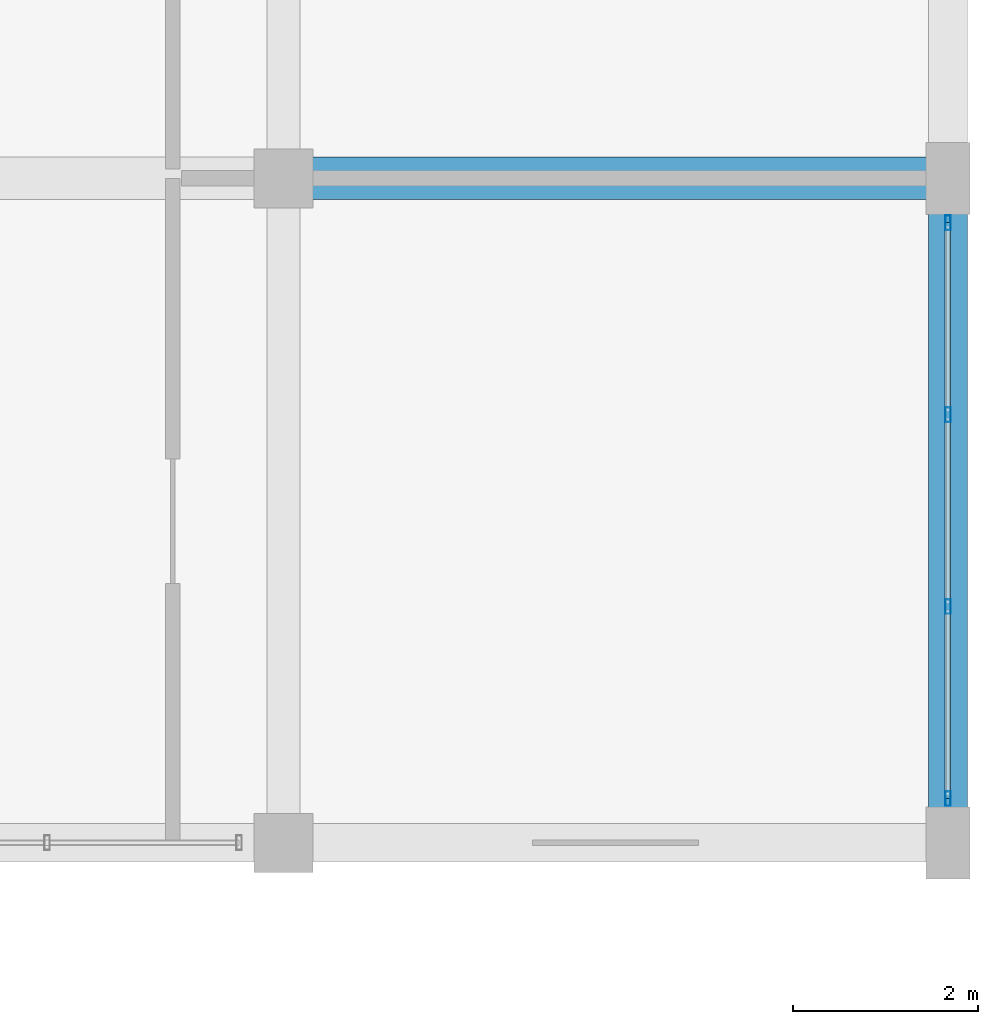
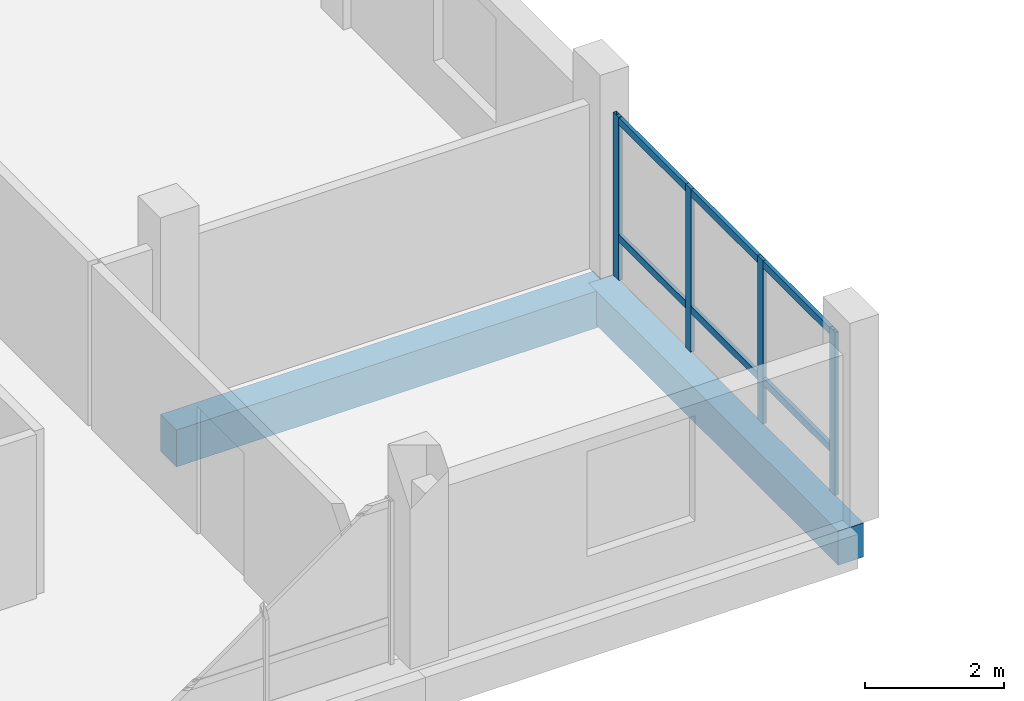
# One storey, part 89 of 128: 6 members, 2 beams, 1 element without a shape of its own.
"""IFC4 building model written with IfcOpenShell, lengths in metres."""

from ifc_helpers import new_model, si_unit, direction, frame, origin, origin_2d, place, context, subcontext, project, spatial, rectangle, hollow_rectangle, extrude, material, material_profile, profile_set, type_object, element, aggregate, save


model = new_model("IFC4")

# Units and contexts
model_context = context("Model", 3, precision=1e-05, world=origin(), true_north=direction((0.0, 1.0)))
body_context = subcontext(model_context, "Body", "Model", "MODEL_VIEW")
ifc_project = project(units=[si_unit("LENGTHUNIT", "METRE"), si_unit("AREAUNIT", "SQUARE_METRE"), si_unit("VOLUMEUNIT", "CUBIC_METRE"), si_unit("PLANEANGLEUNIT", "RADIAN"), si_unit("MASSUNIT", "GRAM", prefix="KILO")], contexts=[model_context])

# Site, building, storey
site_placement = place(None, origin())
site = spatial("IfcSite", under=ifc_project, at=site_placement, CompositionType="ELEMENT")
building_placement = place(site_placement, origin())
building = spatial("IfcBuilding", under=site, at=building_placement, Name="Zornivar Specialist Clinic", CompositionType="ELEMENT")
storey_placement = place(building_placement, frame((0.0, 0.0, 4.5)))
storey = spatial("IfcBuildingStorey", under=building, at=storey_placement, Name="L01", CompositionType="ELEMENT", Elevation=4.5)

# Beams
ifc_material_1 = material(Name="Concrete C30/37", Category="concrete")
ifc_material_profile_1 = material_profile(ifc_material_1, rectangle(XDim=0.4599609375, YDim=0.64990234375, at=origin_2d()), Name="RC 460x650")
ifc_profile_set_1 = profile_set([ifc_material_profile_1], Name="Concrete C30/37")
beam_type_1 = type_object("IfcBeamType", Name="BM-RC-460x650", PredefinedType="BEAM", material=ifc_profile_set_1)
beam_1_placement = place(storey_placement, frame((158.39990234375, 72.0, -0.64501953125), z_axis=(1.0, 0.0, 0.0), x_axis=(0.0, 1.0, 0.0)))
element("IfcBeam", 1, at=beam_1_placement, inside=storey, type_object=beam_type_1, Name="bm:V6:L01:x:720:3", PredefinedType="BEAM", context=body_context, shape_type="SweptSolid", body=[
    extrude(rectangle(XDim=0.4599609375, YDim=0.64990234375, at=origin_2d()), origin(), (0.0, 0.0, 1.0), 7.2001953125),
])
ifc_material_2 = material(Name="Concrete C30/37", Category="concrete")
ifc_material_profile_2 = material_profile(ifc_material_2, rectangle(XDim=0.419921875, YDim=0.60009765625, at=origin_2d()), Name="RC 420x600")
ifc_profile_set_2 = profile_set([ifc_material_profile_2], Name="Concrete C30/37")
beam_type_2 = type_object("IfcBeamType", Name="BM-RC-SPANDREL-420x600", PredefinedType="SPANDREL", material=ifc_profile_set_2)
beam_2_placement = place(storey_placement, frame((165.60009765625, 64.800048828125, -0.6201171875), z_axis=(0.0, 1.0, 0.0), x_axis=(-1.0, 0.0, 0.0)))
element("IfcBeam", 2, at=beam_2_placement, inside=storey, type_object=beam_type_2, Name="bm:V6:L01:y:1656:0", PredefinedType="SPANDREL", context=body_context, shape_type="SweptSolid", body=[
    extrude(rectangle(XDim=0.419921875, YDim=0.60009765625, at=origin_2d()), origin(), (0.0, 0.0, 1.0), 7.199951171875),
])

# Curtain wall, members
ifc_material_3 = material(Name="Aluminium and Low-E Glass Curtain Wall", Category="aluminium")
curtain_wall_type = type_object("IfcCurtainWallType", Name="CW-LAB-NORTH", PredefinedType="NOTDEFINED", material=ifc_material_3)
curtain_wall_placement = place(storey_placement, origin())
curtain_wall = element("IfcCurtainWall", 3, at=curtain_wall_placement, inside=storey, type_object=curtain_wall_type, Name="cw:V6:L01:04", PredefinedType="NOTDEFINED")
ifc_material_4 = material(Name="Aluminium AW-6060", Category="aluminium")
ifc_material_profile_3 = material_profile(ifc_material_4, hollow_rectangle(XDim=0.06005859375, YDim=0.159912109375, WallThickness=0.00390625, at=origin_2d()), Name="ALU 60x160x4")
ifc_profile_set_3 = profile_set([ifc_material_profile_3], Name="Aluminium AW-6060")
member_type_1 = type_object("IfcMemberType", Name="CWM-MUL-160", PredefinedType="MULLION", material=ifc_profile_set_3)
member_1_placement = place(storey_placement, frame((165.60009765625, 65.280029296875, 0.0), z_axis=(0.0, 0.0, 1.0), x_axis=(1.0, 0.0, 0.0)))
member_1 = element("IfcMember", 4, at=member_1_placement, type_object=member_type_1, Name="cw:V6:L01:04:mul:0", PredefinedType="MULLION", context=body_context, shape_type="SweptSolid", body=[
    extrude(hollow_rectangle(XDim=0.06005859375, YDim=0.159912109375, WallThickness=0.00390625, at=origin_2d()), origin(), (0.0, 0.0, 1.0), 2.8701171875),
])
member_2_placement = place(storey_placement, frame((165.60009765625, 67.360107421875, 0.0), z_axis=(0.0, 0.0, 1.0), x_axis=(1.0, 0.0, 0.0)))
member_2 = element("IfcMember", 5, at=member_2_placement, type_object=member_type_1, Name="cw:V6:L01:04:mul:1", PredefinedType="MULLION", context=body_context, shape_type="SweptSolid", body=[
    extrude(hollow_rectangle(XDim=0.06005859375, YDim=0.159912109375, WallThickness=0.00390625, at=origin_2d()), origin(), (0.0, 0.0, 1.0), 2.8701171875),
])
member_3_placement = place(storey_placement, frame((165.60009765625, 69.43994140625, 0.0), z_axis=(0.0, 0.0, 1.0), x_axis=(1.0, 0.0, 0.0)))
member_3 = element("IfcMember", 6, at=member_3_placement, type_object=member_type_1, Name="cw:V6:L01:04:mul:2", PredefinedType="MULLION", context=body_context, shape_type="SweptSolid", body=[
    extrude(hollow_rectangle(XDim=0.06005859375, YDim=0.159912109375, WallThickness=0.00390625, at=origin_2d()), origin(), (0.0, 0.0, 1.0), 2.8701171875),
])
member_4_placement = place(storey_placement, frame((165.60009765625, 71.52001953125, 0.0), z_axis=(0.0, 0.0, 1.0), x_axis=(1.0, 0.0, 0.0)))
member_4 = element("IfcMember", 7, at=member_4_placement, type_object=member_type_1, Name="cw:V6:L01:04:mul:3", PredefinedType="MULLION", context=body_context, shape_type="SweptSolid", body=[
    extrude(hollow_rectangle(XDim=0.06005859375, YDim=0.159912109375, WallThickness=0.00390625, at=origin_2d()), origin(), (0.0, 0.0, 1.0), 2.8701171875),
])
ifc_material_5 = material(Name="Aluminium AW-6060", Category="aluminium")
ifc_material_profile_4 = material_profile(ifc_material_5, hollow_rectangle(XDim=0.06005859375, YDim=0.1298828125, WallThickness=0.00390625, at=origin_2d()), Name="ALU 60x130x4")
ifc_profile_set_4 = profile_set([ifc_material_profile_4], Name="Aluminium AW-6060")
member_type_2 = type_object("IfcMemberType", Name="CWM-TRN-130", PredefinedType="USERDEFINED", material=ifc_profile_set_4)
member_5_placement = place(storey_placement, frame((165.60009765625, 65.280029296875, 0.74609375), z_axis=(0.0, 1.0, 0.0), x_axis=(-1.0, 0.0, 0.0)))
member_5 = element("IfcMember", 8, at=member_5_placement, type_object=member_type_2, Name="cw:V6:L01:04:trn:0", ObjectType="TRANSOM", PredefinedType="USERDEFINED", context=body_context, shape_type="SweptSolid", body=[
    extrude(hollow_rectangle(XDim=0.06005859375, YDim=0.1298828125, WallThickness=0.00390625, at=origin_2d()), origin(), (0.0, 0.0, 1.0), 6.239990234375),
])
member_6_placement = place(storey_placement, frame((165.60009765625, 65.280029296875, 2.804931640625), z_axis=(0.0, 1.0, 0.0), x_axis=(-1.0, 0.0, 0.0)))
member_6 = element("IfcMember", 9, at=member_6_placement, type_object=member_type_2, Name="cw:V6:L01:04:trn:1", ObjectType="TRANSOM", PredefinedType="USERDEFINED", context=body_context, shape_type="SweptSolid", body=[
    extrude(hollow_rectangle(XDim=0.06005859375, YDim=0.1298828125, WallThickness=0.00390625, at=origin_2d()), origin(), (0.0, 0.0, 1.0), 6.239990234375),
])
aggregate(curtain_wall, [member_1, member_2, member_3, member_4, member_5, member_6])

save(model, "model.ifc")
